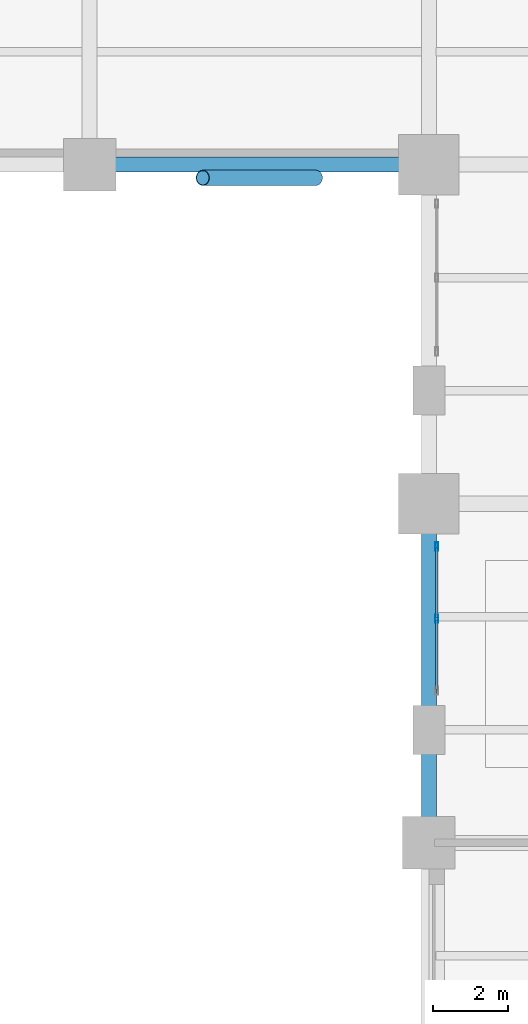
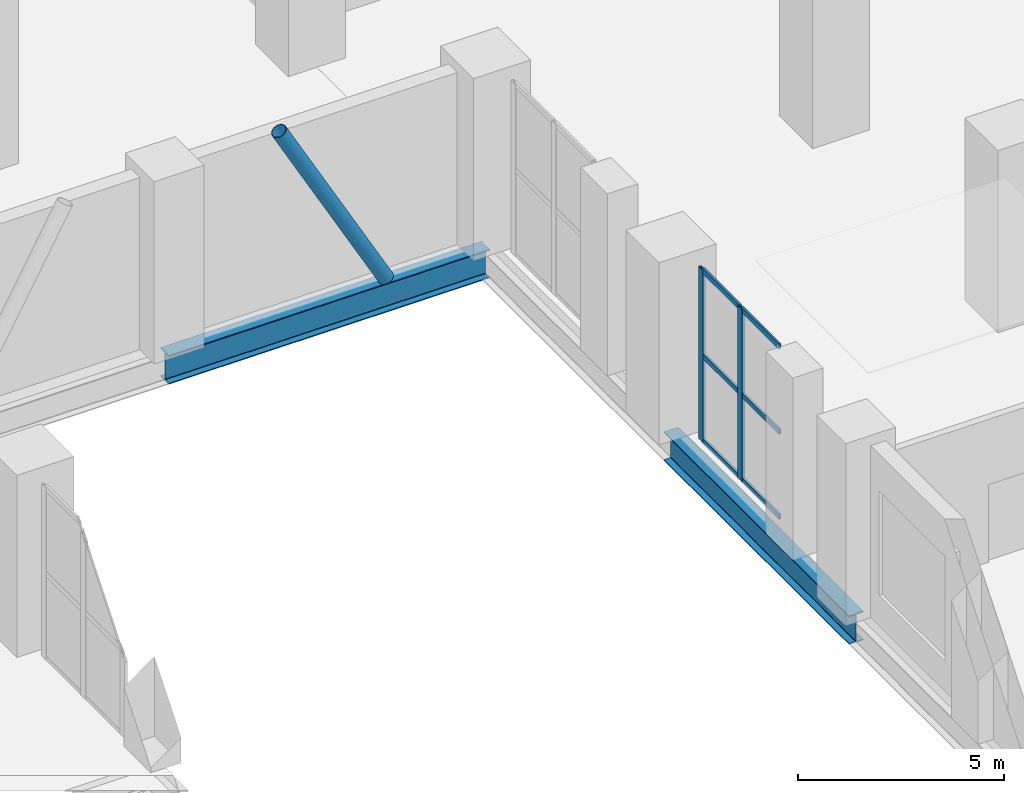
# One storey, part 9 of 20: 9 members, 2 beams, 1 element without a shape of its own.
"""IFC4 building model written with IfcOpenShell, lengths in metres."""

from ifc_helpers import new_model, si_unit, direction, frame, origin, origin_2d, place, context, subcontext, project, spatial, hollow_rectangle, hollow_circle, i_section, extrude, material, layer, layer_set, material_profile, profile_set, type_object, element, aggregate, save


model = new_model("IFC4")

# Units and contexts
model_context = context("Model", 3, precision=1e-05, world=origin(), true_north=direction((0.0, 1.0)))
body_context = subcontext(model_context, "Body", "Model", "MODEL_VIEW")
ifc_project = project(units=[si_unit("LENGTHUNIT", "METRE"), si_unit("AREAUNIT", "SQUARE_METRE"), si_unit("VOLUMEUNIT", "CUBIC_METRE"), si_unit("PLANEANGLEUNIT", "RADIAN"), si_unit("MASSUNIT", "GRAM", prefix="KILO")], contexts=[model_context])

# Site, building, storey
site_placement = place(None, origin())
site = spatial("IfcSite", under=ifc_project, at=site_placement, CompositionType="ELEMENT")
building_placement = place(site_placement, origin())
building = spatial("IfcBuilding", under=site, at=building_placement, Name="Mawjdan Bourse Tower", CompositionType="ELEMENT")
storey_placement = place(building_placement, frame((0.0, 0.0, 5.39990234375)))
storey = spatial("IfcBuildingStorey", under=building, at=storey_placement, Name="L01", CompositionType="ELEMENT", Elevation=5.39990234375)

# Member
ifc_material_1 = material(Name="Structural Steel S460", Category="steel")
ifc_material_profile_1 = material_profile(ifc_material_1, hollow_circle(Radius=0.203125, WallThickness=0.01611328125, at=origin_2d()), Name="CHS406X16")
ifc_profile_set_1 = profile_set([ifc_material_profile_1], Name="Structural Steel S460")
member_type_1 = type_object("IfcMemberType", Name="ARC-CHS406X16", PredefinedType="USERDEFINED", material=ifc_profile_set_1)
member_1_placement = place(storey_placement, frame((48.0, 29.64990234375, 0.0), z_axis=(-0.485632864501, 0.0, 0.874162868644), x_axis=(0.0, -1.0, 0.0)))
element("IfcMember", 1, at=member_1_placement, inside=storey, type_object=member_type_1, Name="L01 Giant Arch Structural Rib NORTH 4", ObjectType="ARCH RIB", PredefinedType="USERDEFINED", context=body_context, shape_type="SweptSolid", body=[
    extrude(hollow_circle(Radius=0.203125, WallThickness=0.01611328125, at=origin_2d()), origin(), (0.0, 0.0, 1.0), 6.177490234375),
])

# Beams
ifc_material_2 = material(Name="Structural Steel S355", Category="steel")
ifc_material_profile_2 = material_profile(ifc_material_2, i_section(OverallWidth=0.39892578125, OverallDepth=0.85595703125, WebThickness=0.018310546875, FlangeThickness=0.029296875, FilletRadius=0.0234375, at=origin_2d()), Name="W33X201")
ifc_profile_set_2 = profile_set([ifc_material_profile_2], Name="Structural Steel S355")
beam_type = type_object("IfcBeamType", Name="GRD-W33X201", PredefinedType="BEAM", material=ifc_profile_set_2)
for number, where, z_axis, x_axis, name in (
    (2, (51.0, 12.0, -0.727783203125), (0.0, 1.0, 0.0), (-1.0, 0.0, 0.0), "L01 Podium Primary Girder 027"),
    (3, (42.0, 30.0, -0.727783203125), (1.0, 0.0, 0.0), (0.0, 1.0, 0.0), "L01 Podium Tie Girder 058"),
):
    element("IfcBeam", number, at=place(storey_placement, frame(where, z_axis=z_axis, x_axis=x_axis)), inside=storey, type_object=beam_type, Name=name, PredefinedType="BEAM", context=body_context, shape_type="SweptSolid", body=[
        extrude(i_section(OverallWidth=0.39892578125, OverallDepth=0.85595703125, WebThickness=0.018310546875, FlangeThickness=0.029296875, FilletRadius=0.0234375, at=origin_2d()), origin(), (0.0, 0.0, 1.0), 9.0),
    ])

# Curtain wall, members
ifc_material_3 = material(Name="Thermally Broken Aluminium and Solar Glass", Category="aluminium")
ifc_layer = layer(ifc_material_3, 0.219970703125)
ifc_layer_set = layer_set([ifc_layer], Name="Thermally Broken Aluminium and Solar Glass")
curtain_wall_type = type_object("IfcCurtainWallType", Name="CW-ARCH", PredefinedType="USERDEFINED", material=ifc_layer_set)
curtain_wall_placement = place(storey_placement, origin())
curtain_wall = element("IfcCurtainWall", 4, at=curtain_wall_placement, inside=storey, type_object=curtain_wall_type, Name="L01 Giant Arch East Glazed Wall South", ObjectType="ARCHWAY GLAZED CURTAIN WALL", PredefinedType="USERDEFINED")
ifc_material_4 = material(Name="Thermally Broken Anodised Aluminium", Category="aluminium")
ifc_material_profile_3 = material_profile(ifc_material_4, hollow_rectangle(XDim=0.074951171875, YDim=0.219970703125, WallThickness=0.0048828125, at=origin_2d()), Name="ALU-MUL-220X75")
ifc_profile_set_3 = profile_set([ifc_material_profile_3], Name="Thermally Broken Anodised Aluminium")
member_type_2 = type_object("IfcMemberType", Name="MUL-ALU-MUL-220X75", PredefinedType="MULLION", material=ifc_profile_set_3)
member_2_placement = place(storey_placement, frame((51.2099609375, 17.949951171875, 0.0), z_axis=(0.0, 0.0, 1.0), x_axis=(-1.0, 0.0, 0.0)))
member_2 = element("IfcMember", 5, at=member_2_placement, type_object=member_type_2, Name="CW-ARCH-L01-ARCH-E1 mullion 2", PredefinedType="MULLION", context=body_context, shape_type="SweptSolid", body=[
    extrude(hollow_rectangle(XDim=0.074951171875, YDim=0.219970703125, WallThickness=0.0048828125, at=origin_2d()), origin(), (0.0, 0.0, 1.0), 5.10009765625),
])
member_3_placement = place(storey_placement, frame((51.2099609375, 19.862548828125, 0.0), z_axis=(0.0, 0.0, 1.0), x_axis=(-1.0, 0.0, 0.0)))
member_3 = element("IfcMember", 6, at=member_3_placement, type_object=member_type_2, Name="CW-ARCH-L01-ARCH-E1 mullion 3", PredefinedType="MULLION", context=body_context, shape_type="SweptSolid", body=[
    extrude(hollow_rectangle(XDim=0.074951171875, YDim=0.219970703125, WallThickness=0.0048828125, at=origin_2d()), origin(), (0.0, 0.0, 1.0), 5.10009765625),
])
ifc_material_profile_4 = material_profile(ifc_material_4, hollow_rectangle(XDim=0.06005859375, YDim=0.155029296875, WallThickness=0.00390625, at=origin_2d()), Name="ALU-TRN-155X60")
ifc_profile_set_4 = profile_set([ifc_material_profile_4], Name="Thermally Broken Anodised Aluminium")
member_type_3 = type_object("IfcMemberType", Name="TRN-ALU-TRN-155X60", PredefinedType="USERDEFINED", material=ifc_profile_set_4)
member_4_placement = place(storey_placement, frame((51.2099609375, 16.074951171875, 0.030029296875), z_axis=(0.0, 1.0, 0.0), x_axis=(-1.0, 0.0, 0.0)))
member_4 = element("IfcMember", 7, at=member_4_placement, type_object=member_type_3, Name="CW-ARCH-L01-ARCH-E1 transom 1.1", ObjectType="TRANSOM", PredefinedType="USERDEFINED", context=body_context, shape_type="SweptSolid", body=[
    extrude(hollow_rectangle(XDim=0.06005859375, YDim=0.155029296875, WallThickness=0.00390625, at=origin_2d()), origin(), (0.0, 0.0, 1.0), 1.837646484375),
])
member_5_placement = place(storey_placement, frame((51.2099609375, 16.074951171875, 2.550048828125), z_axis=(0.0, 1.0, 0.0), x_axis=(-1.0, 0.0, 0.0)))
member_5 = element("IfcMember", 8, at=member_5_placement, type_object=member_type_3, Name="CW-ARCH-L01-ARCH-E1 transom 1.2", ObjectType="TRANSOM", PredefinedType="USERDEFINED", context=body_context, shape_type="SweptSolid", body=[
    extrude(hollow_rectangle(XDim=0.06005859375, YDim=0.155029296875, WallThickness=0.00390625, at=origin_2d()), origin(), (0.0, 0.0, 1.0), 1.837646484375),
])
member_6_placement = place(storey_placement, frame((51.2099609375, 16.074951171875, 5.070068359375), z_axis=(0.0, 1.0, 0.0), x_axis=(-1.0, 0.0, 0.0)))
member_6 = element("IfcMember", 9, at=member_6_placement, type_object=member_type_3, Name="CW-ARCH-L01-ARCH-E1 transom 1.3", ObjectType="TRANSOM", PredefinedType="USERDEFINED", context=body_context, shape_type="SweptSolid", body=[
    extrude(hollow_rectangle(XDim=0.06005859375, YDim=0.155029296875, WallThickness=0.00390625, at=origin_2d()), origin(), (0.0, 0.0, 1.0), 1.837646484375),
])
member_7_placement = place(storey_placement, frame((51.2099609375, 17.987548828125, 0.030029296875), z_axis=(0.0, 1.0, 0.0), x_axis=(-1.0, 0.0, 0.0)))
member_7 = element("IfcMember", 10, at=member_7_placement, type_object=member_type_3, Name="CW-ARCH-L01-ARCH-E1 transom 2.1", ObjectType="TRANSOM", PredefinedType="USERDEFINED", context=body_context, shape_type="SweptSolid", body=[
    extrude(hollow_rectangle(XDim=0.06005859375, YDim=0.155029296875, WallThickness=0.00390625, at=origin_2d()), origin(), (0.0, 0.0, 1.0), 1.83740234375),
])
member_8_placement = place(storey_placement, frame((51.2099609375, 17.987548828125, 2.550048828125), z_axis=(0.0, 1.0, 0.0), x_axis=(-1.0, 0.0, 0.0)))
member_8 = element("IfcMember", 11, at=member_8_placement, type_object=member_type_3, Name="CW-ARCH-L01-ARCH-E1 transom 2.2", ObjectType="TRANSOM", PredefinedType="USERDEFINED", context=body_context, shape_type="SweptSolid", body=[
    extrude(hollow_rectangle(XDim=0.06005859375, YDim=0.155029296875, WallThickness=0.00390625, at=origin_2d()), origin(), (0.0, 0.0, 1.0), 1.83740234375),
])
member_9_placement = place(storey_placement, frame((51.2099609375, 17.987548828125, 5.070068359375), z_axis=(0.0, 1.0, 0.0), x_axis=(-1.0, 0.0, 0.0)))
member_9 = element("IfcMember", 12, at=member_9_placement, type_object=member_type_3, Name="CW-ARCH-L01-ARCH-E1 transom 2.3", ObjectType="TRANSOM", PredefinedType="USERDEFINED", context=body_context, shape_type="SweptSolid", body=[
    extrude(hollow_rectangle(XDim=0.06005859375, YDim=0.155029296875, WallThickness=0.00390625, at=origin_2d()), origin(), (0.0, 0.0, 1.0), 1.83740234375),
])
aggregate(curtain_wall, [member_2, member_3, member_4, member_5, member_6, member_7, member_8, member_9])

save(model, "model.ifc")
